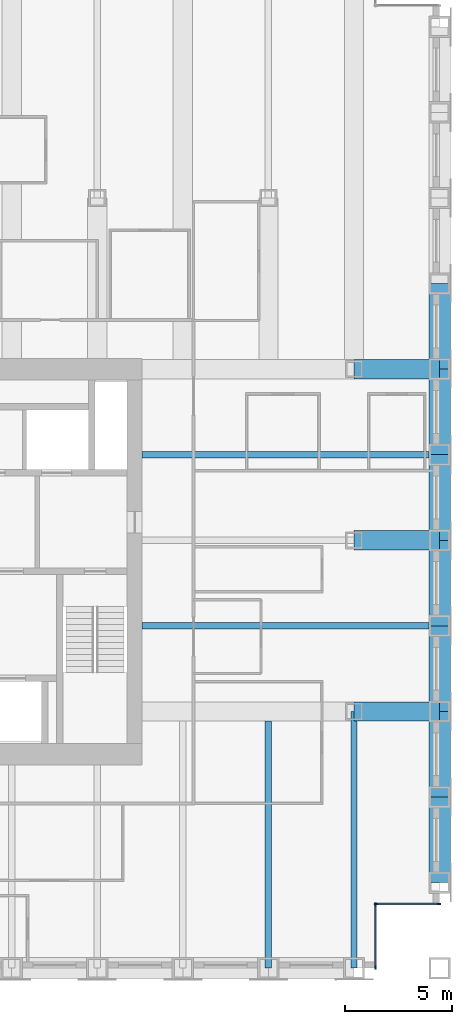
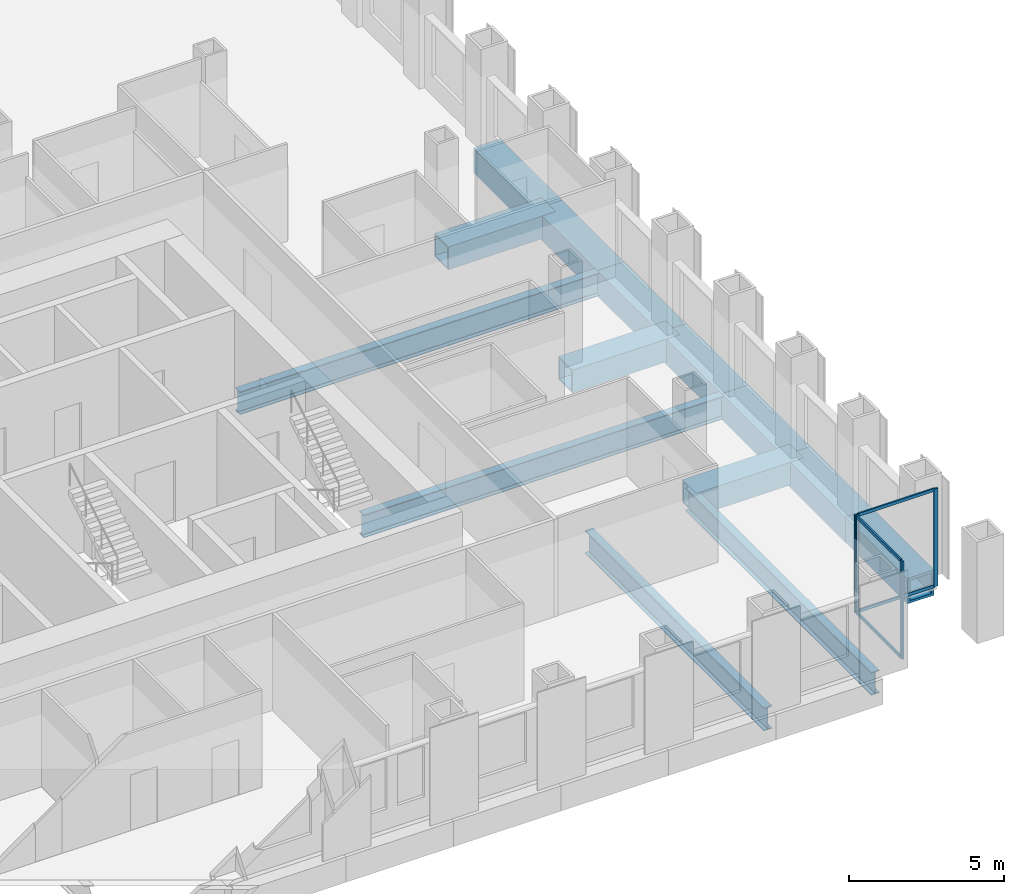
# One storey, part 4 of 14: 14 beams, 8 members, 2 elements without a shape of their own.
"""IFC4 building model written with IfcOpenShell, lengths in metres."""

from ifc_helpers import new_model, si_unit, direction, frame, origin, origin_2d, place, context, subcontext, project, spatial, rectangle, hollow_rectangle, i_section, extrude, material, material_profile, profile_set, type_object, element, aggregate, save


model = new_model("IFC4")

# Units and contexts
model_context = context("Model", 3, precision=1e-05, world=origin(), true_north=direction((0.0, 1.0)))
body_context = subcontext(model_context, "Body", "Model", "MODEL_VIEW")
ifc_project = project(units=[si_unit("LENGTHUNIT", "METRE"), si_unit("AREAUNIT", "SQUARE_METRE"), si_unit("VOLUMEUNIT", "CUBIC_METRE"), si_unit("PLANEANGLEUNIT", "RADIAN"), si_unit("MASSUNIT", "GRAM", prefix="KILO")], contexts=[model_context])

# Site, building, storey
site_placement = place(None, origin())
site = spatial("IfcSite", under=ifc_project, at=site_placement, CompositionType="ELEMENT")
building_placement = place(site_placement, origin())
building = spatial("IfcBuilding", under=site, at=building_placement, Name="Rimbunsela Tower", CompositionType="ELEMENT")
storey_placement = place(building_placement, frame((0.0, 0.0, 230.199951171875)))
storey = spatial("IfcBuildingStorey", under=building, at=storey_placement, Name="L55", CompositionType="ELEMENT", Elevation=230.199951171875)

# Beams
ifc_material_1 = material(Name="Steel BJ 55 (fy 410 MPa)", Category="steel")
ifc_material_profile_1 = material_profile(ifc_material_1, hollow_rectangle(XDim=1.0, YDim=1.0, WallThickness=0.10009765625, at=origin_2d()), Name="BOX 1000x1000x100")
ifc_profile_set_1 = profile_set([ifc_material_profile_1], Name="Steel BJ 55 (fy 410 MPa)")
beam_type_1 = type_object("IfcBeamType", Name="Beam BOX 1000x1000x100", PredefinedType="BEAM", material=ifc_profile_set_1)
for number, where, z_axis, x_axis, name in (
    (1, (50.0, 12.0, -0.64990234375), (0.0, 1.0, 0.0), (-1.0, 0.0, 0.0), "Beam B3 L55"),
    (2, (50.0, 16.0, -0.64990234375), (0.0, 1.0, 0.0), (-1.0, 0.0, 0.0), "Beam B3 L55"),
    (3, (50.0, 20.0, -0.64990234375), (0.0, 1.0, 0.0), (-1.0, 0.0, 0.0), "Beam B3 L55"),
    (4, (50.0, 24.0, -0.64990234375), (0.0, 1.0, 0.0), (-1.0, 0.0, 0.0), "Beam B3 L55"),
    (5, (50.0, 28.0, -0.64990234375), (0.0, 1.0, 0.0), (-1.0, 0.0, 0.0), "Beam B3 L55"),
    (6, (50.0, 32.0, -0.64990234375), (0.0, 1.0, 0.0), (-1.0, 0.0, 0.0), "Beam B3 L55"),
    (7, (50.0, 36.0, -0.64990234375), (0.0, 1.0, 0.0), (-1.0, 0.0, 0.0), "Beam B3 L55"),
):
    element("IfcBeam", number, at=place(storey_placement, frame(where, z_axis=z_axis, x_axis=x_axis)), inside=storey, type_object=beam_type_1, Name=name, PredefinedType="BEAM", context=body_context, shape_type="SweptSolid", body=[
        extrude(hollow_rectangle(XDim=1.0, YDim=1.0, WallThickness=0.10009765625, at=origin_2d()), origin(), (0.0, 0.0, 1.0), 4.0),
    ])
ifc_material_2 = material(Name="Steel BJ 55 (fy 410 MPa)", Category="steel")
ifc_material_profile_2 = material_profile(ifc_material_2, hollow_rectangle(XDim=0.89990234375, YDim=0.89990234375, WallThickness=0.06005859375, at=origin_2d()), Name="BOX 900x900x60")
ifc_profile_set_2 = profile_set([ifc_material_profile_2], Name="Steel BJ 55 (fy 410 MPa)")
beam_type_2 = type_object("IfcBeamType", Name="Beam BOX 900x900x60", PredefinedType="BEAM", material=ifc_profile_set_2)
for number, where, z_axis, x_axis, name in (
    (8, (46.0, 20.0, -0.599853515625), (1.0, 0.0, 0.0), (0.0, 1.0, 0.0), "Beam B1 L55"),
    (9, (46.0, 28.0, -0.599853515625), (1.0, 0.0, 0.0), (0.0, 1.0, 0.0), "Beam B1 L55"),
    (10, (46.0, 36.0, -0.599853515625), (1.0, 0.0, 0.0), (0.0, 1.0, 0.0), "Beam B1 L55"),
):
    element("IfcBeam", number, at=place(storey_placement, frame(where, z_axis=z_axis, x_axis=x_axis)), inside=storey, type_object=beam_type_2, Name=name, PredefinedType="BEAM", context=body_context, shape_type="SweptSolid", body=[
        extrude(hollow_rectangle(XDim=0.89990234375, YDim=0.89990234375, WallThickness=0.06005859375, at=origin_2d()), origin(), (0.0, 0.0, 1.0), 4.0),
    ])
ifc_material_3 = material(Name="Steel BJ 55 (fy 410 MPa)", Category="steel")
ifc_material_profile_3 = material_profile(ifc_material_3, i_section(OverallWidth=0.300048828125, OverallDepth=0.89990234375, WebThickness=0.01611328125, FlangeThickness=0.028076171875, FilletRadius=0.028076171875, at=origin_2d()), Name="H 900x300x16x28")
ifc_profile_set_3 = profile_set([ifc_material_profile_3], Name="Steel BJ 55 (fy 410 MPa)")
beam_type_3 = type_object("IfcBeamType", Name="Beam H 900x300x16x28", PredefinedType="BEAM", material=ifc_profile_set_3)
for number, where, z_axis, x_axis, name in (
    (11, (36.10009765625, 24.0, -0.599853515625), (1.0, 0.0, 0.0), (0.0, 1.0, 0.0), "Beam B2 L55"),
    (12, (36.10009765625, 32.0, -0.599853515625), (1.0, 0.0, 0.0), (0.0, 1.0, 0.0), "Beam B2 L55"),
):
    element("IfcBeam", number, at=place(storey_placement, frame(where, z_axis=z_axis, x_axis=x_axis)), inside=storey, type_object=beam_type_3, Name=name, PredefinedType="BEAM", context=body_context, shape_type="SweptSolid", body=[
        extrude(i_section(OverallWidth=0.300048828125, OverallDepth=0.89990234375, WebThickness=0.01611328125, FlangeThickness=0.028076171875, FilletRadius=0.028076171875, at=origin_2d()), origin(), (0.0, 0.0, 1.0), 13.89990234375),
    ])
beam_1_placement = place(storey_placement, frame((42.0, 8.0, -0.599853515625), z_axis=(0.0, 1.0, 0.0), x_axis=(-1.0, 0.0, 0.0)))
element("IfcBeam", 13, at=beam_1_placement, inside=storey, type_object=beam_type_3, Name="Beam B2 L55", PredefinedType="BEAM", context=body_context, shape_type="SweptSolid", body=[
    extrude(i_section(OverallWidth=0.300048828125, OverallDepth=0.89990234375, WebThickness=0.01611328125, FlangeThickness=0.028076171875, FilletRadius=0.028076171875, at=origin_2d()), origin(), (0.0, 0.0, 1.0), 11.550048828125),
])
beam_2_placement = place(storey_placement, frame((46.0, 8.0, -0.599853515625), z_axis=(0.0, 1.0, 0.0), x_axis=(-1.0, 0.0, 0.0)))
element("IfcBeam", 14, at=beam_2_placement, inside=storey, type_object=beam_type_3, Name="Beam B2 L55", PredefinedType="BEAM", context=body_context, shape_type="SweptSolid", body=[
    extrude(i_section(OverallWidth=0.300048828125, OverallDepth=0.89990234375, WebThickness=0.01611328125, FlangeThickness=0.028076171875, FilletRadius=0.028076171875, at=origin_2d()), origin(), (0.0, 0.0, 1.0), 12.0),
])

# Curtain wall, members
ifc_material_4 = material(Name="Aluminium curtain wall", Category="aluminium")
curtain_wall_type = type_object("IfcCurtainWallType", Name="Corner glazing", PredefinedType="USERDEFINED", material=ifc_material_4)
curtain_wall_1_placement = place(storey_placement, origin())
curtain_wall_1 = element("IfcCurtainWall", 15, at=curtain_wall_1_placement, inside=storey, type_object=curtain_wall_type, Name="Corner glazing L55", ObjectType="CORNER GLAZING", PredefinedType="USERDEFINED")
ifc_material_5 = material(Name="Aluminium mullion", Category="aluminium")
ifc_material_profile_4 = material_profile(ifc_material_5, rectangle(XDim=0.06005859375, YDim=0.159912109375, at=origin_2d()), Name="Mullion 60x160")
ifc_profile_set_4 = profile_set([ifc_material_profile_4], Name="Aluminium mullion")
member_type_1 = type_object("IfcMemberType", Name="Curtain wall mullion 60x160", PredefinedType="MULLION", material=ifc_profile_set_4)
member_1_placement = place(storey_placement, frame((47.0, 8.030029296875, 0.0), z_axis=(0.0, 0.0, 1.0), x_axis=(-1.0, 0.0, 0.0)))
member_1 = element("IfcMember", 16, at=member_1_placement, type_object=member_type_1, Name="CW5 mullion 1", PredefinedType="MULLION", context=body_context, shape_type="SweptSolid", body=[
    extrude(rectangle(XDim=0.06005859375, YDim=0.159912109375, at=origin_2d()), origin(), (0.0, 0.0, 1.0), 3.85009765625),
])
member_2_placement = place(storey_placement, frame((47.0, 10.969970703125, 0.0), z_axis=(0.0, 0.0, 1.0), x_axis=(-1.0, 0.0, 0.0)))
member_2 = element("IfcMember", 17, at=member_2_placement, type_object=member_type_1, Name="CW5 mullion 2", PredefinedType="MULLION", context=body_context, shape_type="SweptSolid", body=[
    extrude(rectangle(XDim=0.06005859375, YDim=0.159912109375, at=origin_2d()), origin(), (0.0, 0.0, 1.0), 3.85009765625),
])

curtain_wall_2_placement = place(storey_placement, origin())
curtain_wall_2 = element("IfcCurtainWall", 18, at=curtain_wall_2_placement, inside=storey, type_object=curtain_wall_type, Name="Corner glazing L55", ObjectType="CORNER GLAZING", PredefinedType="USERDEFINED")
member_3_placement = place(storey_placement, frame((47.030029296875, 11.0, 0.0), z_axis=(0.0, 0.0, 1.0), x_axis=(0.0, 1.0, 0.0)))
member_3 = element("IfcMember", 19, at=member_3_placement, type_object=member_type_1, Name="CW5 mullion 1", PredefinedType="MULLION", context=body_context, shape_type="SweptSolid", body=[
    extrude(rectangle(XDim=0.06005859375, YDim=0.159912109375, at=origin_2d()), origin(), (0.0, 0.0, 1.0), 3.85009765625),
])
member_4_placement = place(storey_placement, frame((49.969970703125, 11.0, 0.0), z_axis=(0.0, 0.0, 1.0), x_axis=(0.0, 1.0, 0.0)))
member_4 = element("IfcMember", 20, at=member_4_placement, type_object=member_type_1, Name="CW5 mullion 2", PredefinedType="MULLION", context=body_context, shape_type="SweptSolid", body=[
    extrude(rectangle(XDim=0.06005859375, YDim=0.159912109375, at=origin_2d()), origin(), (0.0, 0.0, 1.0), 3.85009765625),
])

# Member
ifc_material_6 = material(Name="Aluminium transom", Category="aluminium")
ifc_material_profile_5 = material_profile(ifc_material_6, rectangle(XDim=0.06005859375, YDim=0.1201171875, at=origin_2d()), Name="Transom 60x120")
ifc_profile_set_5 = profile_set([ifc_material_profile_5], Name="Aluminium transom")
member_type_2 = type_object("IfcMemberType", Name="Curtain wall transom 60x120", PredefinedType="USERDEFINED", material=ifc_profile_set_5)
member_5_placement = place(storey_placement, frame((47.0, 8.06005859375, 0.030029296875), z_axis=(0.0, 1.0, 0.0), x_axis=(-1.0, 0.0, 0.0)))
member_5 = element("IfcMember", 21, at=member_5_placement, type_object=member_type_2, Name="CW5 transom 1.1", ObjectType="TRANSOM", PredefinedType="USERDEFINED", context=body_context, shape_type="SweptSolid", body=[
    extrude(rectangle(XDim=0.06005859375, YDim=0.1201171875, at=origin_2d()), origin(), (0.0, 0.0, 1.0), 2.8798828125),
])

member_6_placement = place(storey_placement, frame((47.0, 8.06005859375, 3.820068359375), z_axis=(0.0, 1.0, 0.0), x_axis=(-1.0, 0.0, 0.0)))
member_6 = element("IfcMember", 22, at=member_6_placement, type_object=member_type_2, Name="CW5 transom 1.2", ObjectType="TRANSOM", PredefinedType="USERDEFINED", context=body_context, shape_type="SweptSolid", body=[
    extrude(rectangle(XDim=0.06005859375, YDim=0.1201171875, at=origin_2d()), origin(), (0.0, 0.0, 1.0), 2.8798828125),
])

aggregate(curtain_wall_1, [member_1, member_2, member_5, member_6])

member_7_placement = place(storey_placement, frame((47.06005859375, 11.0, 0.030029296875), z_axis=(1.0, 0.0, 0.0), x_axis=(0.0, 1.0, 0.0)))
member_7 = element("IfcMember", 23, at=member_7_placement, type_object=member_type_2, Name="CW5 transom 1.1", ObjectType="TRANSOM", PredefinedType="USERDEFINED", context=body_context, shape_type="SweptSolid", body=[
    extrude(rectangle(XDim=0.06005859375, YDim=0.1201171875, at=origin_2d()), origin(), (0.0, 0.0, 1.0), 2.8798828125),
])

member_8_placement = place(storey_placement, frame((47.06005859375, 11.0, 3.820068359375), z_axis=(1.0, 0.0, 0.0), x_axis=(0.0, 1.0, 0.0)))
member_8 = element("IfcMember", 24, at=member_8_placement, type_object=member_type_2, Name="CW5 transom 1.2", ObjectType="TRANSOM", PredefinedType="USERDEFINED", context=body_context, shape_type="SweptSolid", body=[
    extrude(rectangle(XDim=0.06005859375, YDim=0.1201171875, at=origin_2d()), origin(), (0.0, 0.0, 1.0), 2.8798828125),
])

aggregate(curtain_wall_2, [member_3, member_4, member_7, member_8])

save(model, "model.ifc")
